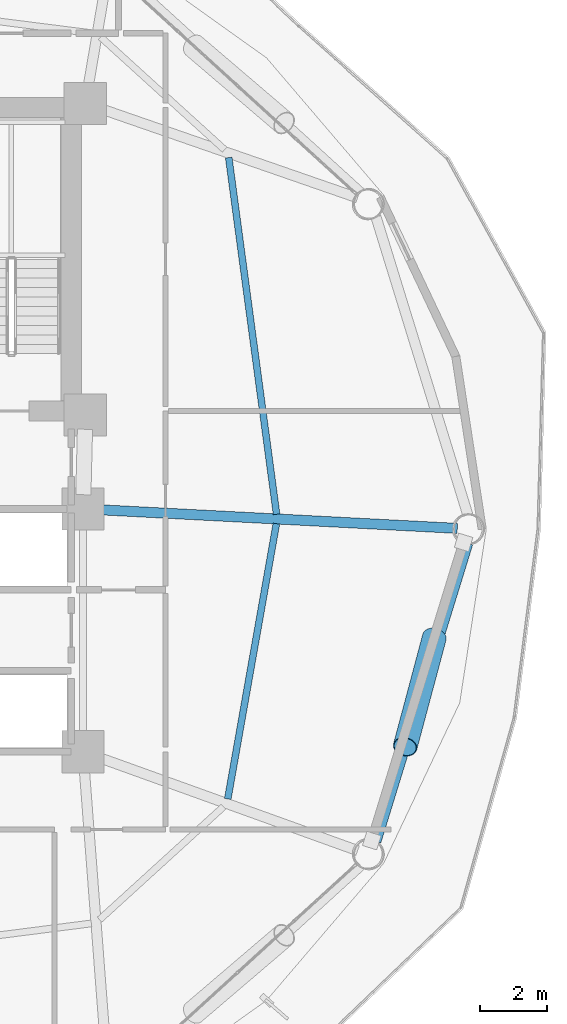
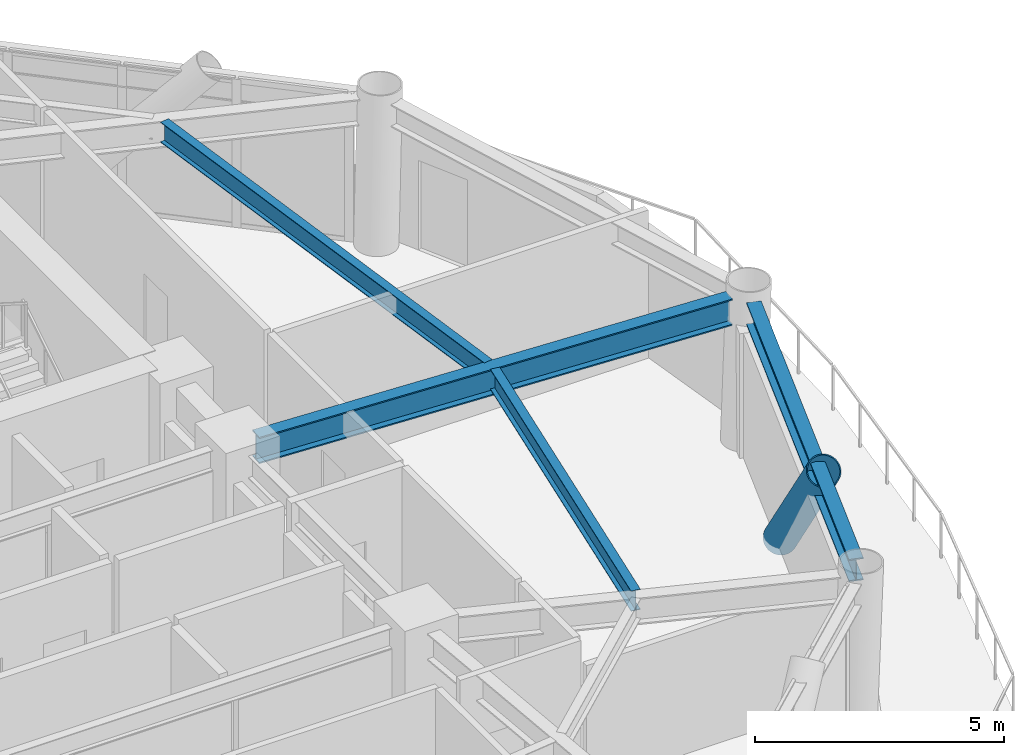
# One storey, part 13 of 25: 4 beams, 1 member.
"""IFC4 building model written with IfcOpenShell, lengths in metres."""

import ifcopenshell
import ifcopenshell.guid

model = None  # the IFC model being written
_history = None  # IfcOwnerHistory: only IFC2X3 demands one
_inside = {}  # id of a spatial element -> (the spatial element, [elements in it])
_under = {}  # id of a project, library or spatial element -> (it, [spatial elements below it])
_declared = {}  # id of a project -> (the project, [libraries it declares])
_typed = {}  # id of a type object -> (the type object, [elements of that type])
_made_of = {}  # id of a material, layer set ... -> (it, [elements and type objects made of it])


def new_model(schema):
    """Start an empty IFC model of exactly this schema.

    Asked for "IFC4X3", IfcOpenShell would pick the latest addendum, in which some entities
    have other attributes; the version numbers below select the first issue.
    IFC2X3 requires an IfcOwnerHistory on every rooted entity: one is made here for all.
    """
    global model, _history
    if schema == "IFC4X3":
        model = ifcopenshell.file(schema_version=(4, 3, 0, 0))
    else:
        model = ifcopenshell.file(schema=schema)
    _inside.clear()
    _under.clear()
    _declared.clear()
    _typed.clear()
    _made_of.clear()
    _history = None
    if model.schema == "IFC2X3":
        org = make("IfcOrganization", Name="unknown")
        user = make(
            "IfcPersonAndOrganization",
            ThePerson=make("IfcPerson", FamilyName="unknown"),
            TheOrganization=org,
        )
        app = make(
            "IfcApplication",
            ApplicationDeveloper=org,
            Version="unknown",
            ApplicationFullName="unknown",
            ApplicationIdentifier="unknown",
        )
        _history = make(
            "IfcOwnerHistory",
            OwningUser=user,
            OwningApplication=app,
            ChangeAction="ADDED",
            CreationDate=0,
        )
    return model


def make(cls, **values):
    """One entity of the class cls with the attributes given. An attribute that is None is left unset."""
    return model.create_entity(
        cls, **{name: value for name, value in values.items() if value is not None}
    )


def rooted(cls, **values):
    """An entity with a GlobalId (a new one), such as an element, a storey or a relation."""
    return make(cls, GlobalId=ifcopenshell.guid.new(), OwnerHistory=_history, **values)


def si_unit(unit_type, name, prefix=None):
    """IfcSIUnit, for example si_unit("LENGTHUNIT", "METRE", prefix="MILLI")."""
    return make("IfcSIUnit", UnitType=unit_type, Prefix=prefix, Name=name)


def assignment(units):
    """IfcUnitAssignment: the units of a project."""
    return None if units is None else make("IfcUnitAssignment", Units=units)


def point(xyz):
    """IfcCartesianPoint."""
    return None if xyz is None else make("IfcCartesianPoint", Coordinates=xyz)


def direction(xyz):
    """IfcDirection."""
    return None if xyz is None else make("IfcDirection", DirectionRatios=xyz)


def frame(location, z_axis=None, x_axis=None):
    """IfcAxis2Placement3D, a coordinate frame: its origin and axes. An axis left out is left unset."""
    return make(
        "IfcAxis2Placement3D",
        Location=point(location),
        Axis=direction(z_axis),
        RefDirection=direction(x_axis),
    )


def frame_2d(location, x_axis=None):
    """IfcAxis2Placement2D, a coordinate frame in the plane: its origin and x axis."""
    return make(
        "IfcAxis2Placement2D", Location=point(location), RefDirection=direction(x_axis)
    )


def origin():
    """The frame at (0, 0, 0) with its axes left unset."""
    return frame((0.0, 0.0, 0.0))


def origin_2d():
    """The frame at (0, 0) in the plane with its x axis left unset."""
    return frame_2d((0.0, 0.0))


def place(relative_to, where):
    """IfcLocalPlacement: puts the frame where relative to a parent placement (None: the world)."""
    return make(
        "IfcLocalPlacement", PlacementRelTo=relative_to, RelativePlacement=where
    )


def context(
    kind, dimensions, precision=None, world=None, true_north=None, identifier=None
):
    """IfcGeometricRepresentationContext, for example the 3D "Model" context."""
    return make(
        "IfcGeometricRepresentationContext",
        ContextIdentifier=identifier,
        ContextType=kind,
        CoordinateSpaceDimension=dimensions,
        Precision=precision,
        WorldCoordinateSystem=world,
        TrueNorth=true_north,
    )


def subcontext(parent, identifier, kind, view, scale=None):
    """IfcGeometricRepresentationSubContext, for example "Body" below "Model"."""
    return make(
        "IfcGeometricRepresentationSubContext",
        ContextIdentifier=identifier,
        ContextType=kind,
        ParentContext=parent,
        TargetScale=scale,
        TargetView=view,
    )


def project(units=None, contexts=None):
    """IfcProject with its units and contexts."""
    return rooted(
        "IfcProject",
        Name="project",
        RepresentationContexts=contexts,
        UnitsInContext=assignment(units),
    )


def spatial(cls, under=None, at=None, **own):
    """A site, building, storey or space (cls), placed at a placement, below another one or the project."""
    s = rooted(cls, ObjectPlacement=at, **own)
    if under is not None:
        _under.setdefault(under.id(), (under, []))[1].append(s)
    return s


def profile(cls, at=None, kind="AREA", **sizes):
    """A parametric profile (cls). Its sizes go by their IFC names, for example OverallWidth=200.0."""
    return make(cls, ProfileType=kind, Position=at, **sizes)


def hollow_circle(**sizes):
    """IfcCircleHollowProfileDef."""
    return profile("IfcCircleHollowProfileDef", **sizes)


def i_section(**sizes):
    """IfcIShapeProfileDef."""
    return profile("IfcIShapeProfileDef", **sizes)


def extrude(swept, where, along, depth):
    """IfcExtrudedAreaSolid: the profile swept, set in the frame where, extruded along a direction by depth."""
    return make(
        "IfcExtrudedAreaSolid",
        SweptArea=swept,
        Position=where,
        ExtrudedDirection=direction(along),
        Depth=depth,
    )


def shape(context_of_items, identifier, shape_type, items):
    """IfcShapeRepresentation: the items that make up one representation, for example the "Body"."""
    return make(
        "IfcShapeRepresentation",
        ContextOfItems=context_of_items,
        RepresentationIdentifier=identifier,
        RepresentationType=shape_type,
        Items=items,
    )


def material(Name=None, Category=None):
    """IfcMaterial."""
    return make("IfcMaterial", Name=Name, Category=Category)


def material_profile(
    of_material, cross_section, Name=None, Category=None, Priority=None
):
    """IfcMaterialProfile: a cross section and its material."""
    return make(
        "IfcMaterialProfile",
        Name=Name,
        Material=of_material,
        Profile=cross_section,
        Priority=Priority,
        Category=Category,
    )


def profile_set(profiles, Name=None, composite=None):
    """IfcMaterialProfileSet."""
    return make(
        "IfcMaterialProfileSet",
        Name=Name,
        MaterialProfiles=profiles,
        CompositeProfile=composite,
    )


def made_of(thing, what):
    """Note that an element or type object is made of a material, layer set ...; save() writes the relation."""
    if what is not None:
        _made_of.setdefault(what.id(), (what, []))[1].append(thing)
    return thing


def type_object(cls, material=None, **own):
    """A type object (cls), such as IfcWallType, which elements share."""
    return made_of(rooted(cls, **own), material)


def element(
    cls,
    number,
    at=None,
    inside=None,
    cuts=None,
    type_object=None,
    material=None,
    context=None,
    identifier="Body",
    shape_type=None,
    held_by="IfcProductDefinitionShape",
    body=None,
    shapes=None,
    **own,
):
    """One element of the class cls, such as IfcWall. Its Tag is "e" and its number.

    at: its placement. inside: the storey or other place that contains it. cuts: it is an
    opening in that element (IfcRelVoidsElement). A single representation is given by context,
    identifier, shape_type and body (its items); several are given by shapes. held_by: the class
    of the entity that holds the representations. save() writes the other relations.
    """
    e = rooted(cls, Tag="e%d" % number, ObjectPlacement=at, **own)
    if body is not None:
        shapes = [shape(context, identifier, shape_type, body)]
    if shapes is not None:
        e.Representation = make(held_by, Representations=shapes)
    if inside is not None:
        _inside.setdefault(inside.id(), (inside, []))[1].append(e)
    if cuts is not None:
        rooted(
            "IfcRelVoidsElement", RelatingBuildingElement=cuts, RelatedOpeningElement=e
        )
    if type_object is not None:
        _typed.setdefault(type_object.id(), (type_object, []))[1].append(e)
    return made_of(e, material)


def aggregate(whole, parts):
    """IfcRelAggregates: a whole, such as a stair, and the parts it consists of."""
    return rooted("IfcRelAggregates", RelatingObject=whole, RelatedObjects=parts)


def save(model, path):
    """Write the relations noted so far, then the file.

    IfcRelAggregates (storeys below a building ...), IfcRelContainedInSpatialStructure (elements
    in a storey), IfcRelDefinesByType, IfcRelAssociatesMaterial and IfcRelDeclares: one each for
    every whole, place, type object, material and project.
    """
    for whole, parts in _under.values():
        aggregate(whole, parts)
    for where, things in _inside.values():
        rooted(
            "IfcRelContainedInSpatialStructure",
            RelatedElements=things,
            RelatingStructure=where,
        )
    for kind, things in _typed.values():
        rooted("IfcRelDefinesByType", RelatedObjects=things, RelatingType=kind)
    for what, things in _made_of.values():
        rooted("IfcRelAssociatesMaterial", RelatedObjects=things, RelatingMaterial=what)
    for by, libraries in _declared.values():
        rooted("IfcRelDeclares", RelatingContext=by, RelatedDefinitions=libraries)
    model.write(path)


model = new_model("IFC4")

# Units and contexts
model_context = context("Model", 3, precision=1e-05, world=origin(), true_north=direction((0.0, 1.0)))
body_context = subcontext(model_context, "Body", "Model", "MODEL_VIEW")
ifc_project = project(units=[si_unit("LENGTHUNIT", "METRE"), si_unit("AREAUNIT", "SQUARE_METRE"), si_unit("VOLUMEUNIT", "CUBIC_METRE"), si_unit("PLANEANGLEUNIT", "RADIAN"), si_unit("MASSUNIT", "GRAM", prefix="KILO")], contexts=[model_context])

# Site, building, storey
site_placement = place(None, origin())
site = spatial("IfcSite", under=ifc_project, at=site_placement, CompositionType="ELEMENT")
building_placement = place(site_placement, origin())
building = spatial("IfcBuilding", under=site, at=building_placement, Name="Varnakorn Sky Granary", CompositionType="ELEMENT")
storey_placement = place(building_placement, frame((0.0, 0.0, 54.89990234375)))
storey = spatial("IfcBuildingStorey", under=building, at=storey_placement, Name="L13", CompositionType="ELEMENT", Elevation=54.89990234375)

# Beams
ifc_material_1 = material(Name="Steel S355JR", Category="steel")
ifc_material_profile_1 = material_profile(ifc_material_1, i_section(OverallWidth=0.300048828125, OverallDepth=0.64990234375, WebThickness=0.01611328125, FlangeThickness=0.031005859375, at=origin_2d()), Name="HE 650 B")
ifc_profile_set_1 = profile_set([ifc_material_profile_1], Name="Steel S355JR")
beam_type_1 = type_object("IfcBeamType", Name="BM-RAD-Z1", PredefinedType="BEAM", material=ifc_profile_set_1)
beam_1_placement = place(storey_placement, frame((8.769287109375, 0.578125, 3.315185546875), z_axis=(0.998650934631, -0.051926012378, 0.0), x_axis=(0.051926012378, 0.998650934631, 0.0)))
element("IfcBeam", 1, at=beam_1_placement, inside=storey, type_object=beam_type_1, Name="Radial Floor Girder RG01 L13", PredefinedType="BEAM", context=body_context, shape_type="SweptSolid", body=[
    extrude(i_section(OverallWidth=0.300048828125, OverallDepth=0.64990234375, WebThickness=0.01611328125, FlangeThickness=0.031005859375, at=origin_2d()), origin(), (0.0, 0.0, 1.0), 10.691650390625),
])
ifc_material_profile_2 = material_profile(ifc_material_1, i_section(OverallWidth=0.199951171875, OverallDepth=0.5, WebThickness=0.01025390625, FlangeThickness=0.01611328125, at=origin_2d()), Name="IPE 500")
ifc_profile_set_2 = profile_set([ifc_material_profile_2], Name="Steel S355JR")
beam_type_2 = type_object("IfcBeamType", Name="BM-SEC-Z1", PredefinedType="BEAM", material=ifc_profile_set_2)
beam_2_placement = place(storey_placement, frame((14.08935546875, 0.439453125, 3.39013671875), z_axis=(-0.132952103674, 0.991122463739, 0.0), x_axis=(-0.991122463739, -0.132952103674, 0.0)))
element("IfcBeam", 2, at=beam_2_placement, inside=storey, type_object=beam_type_2, Name="Secondary Floor Chord Beam MSB01 L13", PredefinedType="BEAM", context=body_context, shape_type="SweptSolid", body=[
    extrude(i_section(OverallWidth=0.199951171875, OverallDepth=0.5, WebThickness=0.01025390625, FlangeThickness=0.01611328125, at=origin_2d()), origin(), (0.0, 0.0, 1.0), 10.6689453125),
])
beam_3_placement = place(storey_placement, frame((12.641845703125, -7.997314453125, 3.39013671875), z_axis=(0.173980301865, 0.984749132806, 0.0), x_axis=(-0.984749132806, 0.173980301865, 0.0)))
element("IfcBeam", 3, at=beam_3_placement, inside=storey, type_object=beam_type_2, Name="Secondary Floor Chord Beam MSB12 L13", PredefinedType="BEAM", context=body_context, shape_type="SweptSolid", body=[
    extrude(i_section(OverallWidth=0.199951171875, OverallDepth=0.5, WebThickness=0.01025390625, FlangeThickness=0.01611328125, at=origin_2d()), origin(), (0.0, 0.0, 1.0), 8.286376953125),
])
ifc_material_profile_3 = material_profile(ifc_material_1, i_section(OverallWidth=0.300048828125, OverallDepth=0.550048828125, WebThickness=0.014892578125, FlangeThickness=0.029052734375, at=origin_2d()), Name="HE 550 B")
ifc_profile_set_3 = profile_set([ifc_material_profile_3], Name="Steel S355JR")
beam_type_3 = type_object("IfcBeamType", Name="BM-SPD-Z1", PredefinedType="SPANDREL", material=ifc_profile_set_3)
beam_4_placement = place(storey_placement, frame((17.035888671875, -9.255126953125, 3.364990234375), z_axis=(0.294496032873, 0.955652701886, 0.0), x_axis=(-0.955652701886, 0.294496032873, 0.0)))
element("IfcBeam", 4, at=beam_4_placement, inside=storey, type_object=beam_type_3, Name="Perimeter Spandrel Ring Beam RB12 L13", PredefinedType="SPANDREL", context=body_context, shape_type="SweptSolid", body=[
    extrude(i_section(OverallWidth=0.300048828125, OverallDepth=0.550048828125, WebThickness=0.014892578125, FlangeThickness=0.029052734375, at=origin_2d()), origin(), (0.0, 0.0, 1.0), 9.24267578125),
])

# Member
ifc_material_2 = material(Name="Steel S460M", Category="steel")
ifc_material_profile_4 = material_profile(ifc_material_2, hollow_circle(Radius=0.35546875, WallThickness=0.02490234375, at=origin_2d()), Name="CHS 711x25")
ifc_profile_set_4 = profile_set([ifc_material_profile_4], Name="Steel S460M")
member_type = type_object("IfcMemberType", Name="MB-DIAG-T0", PredefinedType="BRACE", material=ifc_profile_set_4)
member_placement = place(storey_placement, frame((18.765869140625, -3.208740234375, -0.1298828125), z_axis=(-0.167848152746, -0.62838980071, 0.759574391343), x_axis=(0.966128623264, -0.258061006952, 0.0)))
element("IfcMember", 5, at=member_placement, inside=storey, type_object=member_type, Name="Perimeter CHS Diagrid Brace DG12 L13", PredefinedType="BRACE", context=body_context, shape_type="SweptSolid", body=[
    extrude(hollow_circle(Radius=0.35546875, WallThickness=0.02490234375, at=origin_2d()), origin(), (0.0, 0.0, 1.0), 5.16064453125),
])

save(model, "model.ifc")
